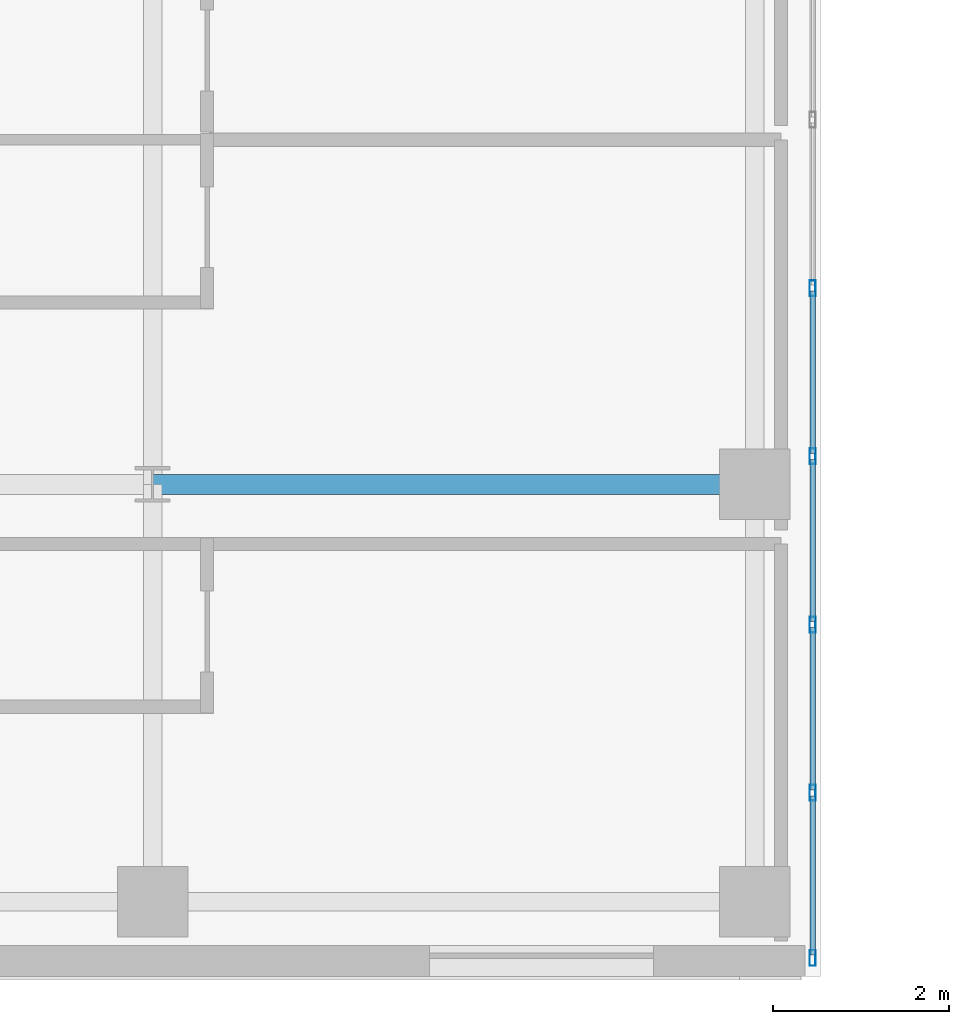
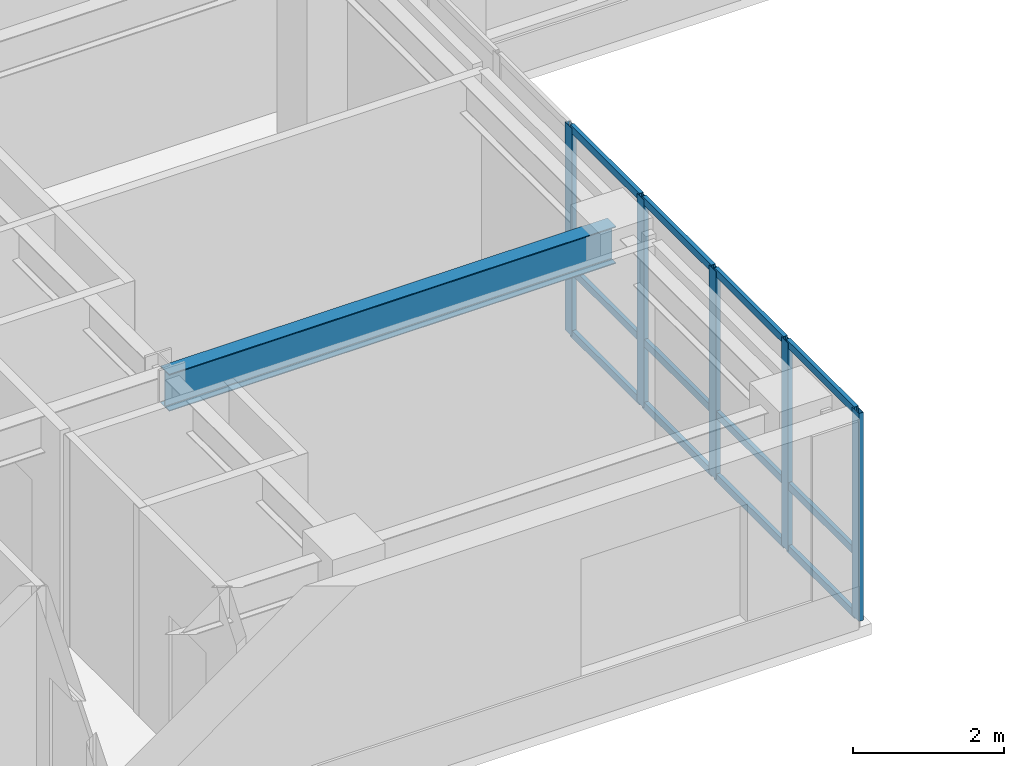
# One storey, part 3 of 21: 17 members, 1 beam, 1 element without a shape of its own.
"""IFC4 building model written with IfcOpenShell, lengths in metres."""

from ifc_helpers import new_model, si_unit, direction, frame, origin, origin_2d, place, context, subcontext, project, spatial, hollow_rectangle, i_section, extrude, source, transform, mapped, material, layer, layer_set, material_profile, profile_set, type_object, type_shapes, element, aggregate, save


model = new_model("IFC4")

# Units and contexts
model_context = context("Model", 3, precision=1e-05, world=origin(), true_north=direction((0.0, 1.0)))
body_context = subcontext(model_context, "Body", "Model", "MODEL_VIEW")
ifc_project = project(units=[si_unit("LENGTHUNIT", "METRE"), si_unit("AREAUNIT", "SQUARE_METRE"), si_unit("VOLUMEUNIT", "CUBIC_METRE"), si_unit("PLANEANGLEUNIT", "RADIAN"), si_unit("MASSUNIT", "GRAM", prefix="KILO")], contexts=[model_context])

# Site, building, storey
site_placement = place(None, origin())
site = spatial("IfcSite", under=ifc_project, at=site_placement, CompositionType="ELEMENT")
building_placement = place(site_placement, origin())
building = spatial("IfcBuilding", under=site, at=building_placement, Name="Tolvann Quenvar Hotel", CompositionType="ELEMENT")
storey_placement = place(building_placement, frame((0.0, 0.0, 161.25)))
storey = spatial("IfcBuildingStorey", under=building, at=storey_placement, Name="L42", CompositionType="ELEMENT", Elevation=161.25)

# Beam
ifc_material_1 = material(Name="Steel Grade 350", Category="steel")
ifc_material_profile_1 = material_profile(ifc_material_1, i_section(OverallWidth=0.22802734375, OverallDepth=0.60205078125, WebThickness=0.010498046875, FlangeThickness=0.014892578125, FilletRadius=0.013916015625, at=origin_2d()), Name="610UB101")
ifc_profile_set_1 = profile_set([ifc_material_profile_1], Name="Steel Grade 350")
beam_type = type_object("IfcBeamType", Name="BM_GIRD_610UB101", PredefinedType="BEAM", material=ifc_profile_set_1)
shared_shape_1 = source(origin(), body_context, "Body", "SweptSolid", [
    extrude(i_section(OverallWidth=0.22802734375, OverallDepth=0.60205078125, WebThickness=0.010498046875, FlangeThickness=0.014892578125, FilletRadius=0.013916015625, at=origin_2d()), origin(), (0.0, 0.0, 1.0), 6.85009765625),
])
type_shapes(beam_type, [shared_shape_1])
beam_placement = place(storey_placement, frame((15.199951171875, 8.199951171875, 3.069091796875), z_axis=(1.0, 0.0, 0.0), x_axis=(0.0, 1.0, 0.0)))
element("IfcBeam", 1, at=beam_placement, inside=storey, type_object=beam_type, Name="BM-L42-EW-3-D3-E3", PredefinedType="BEAM", context=body_context, shape_type="MappedRepresentation", body=[
    mapped(shared_shape_1, transform((0.0, 0.0, 0.0), x_axis=(1.0, 0.0, 0.0), y_axis=(0.0, 1.0, 0.0), z_axis=(0.0, 0.0, 1.0), scale=1.0)),
])

# Curtain wall, members
ifc_material_2 = material(Name="Thermally broken anodised architectural aluminium 6063-T6 and laminated low-E glass", Category="aluminium")
ifc_layer = layer(ifc_material_2, 0.179931640625)
ifc_layer_set = layer_set([ifc_layer], Name="Thermally broken anodised architectural aluminium 6063-T6 and laminated low-E glass")
curtain_wall_type = type_object("IfcCurtainWallType", Name="CW_SYS_SLOT_03", PredefinedType="USERDEFINED", material=ifc_layer_set)
curtain_wall_placement = place(storey_placement, origin())
curtain_wall = element("IfcCurtainWall", 2, at=curtain_wall_placement, inside=storey, type_object=curtain_wall_type, Name="Curtain Wall CW-SLOT-03 (CWR-L42-E05)", ObjectType="UNITISED CURTAIN WALL", PredefinedType="USERDEFINED")
ifc_material_3 = material(Name="Anodised architectural aluminium 6063-T6 framing", Category="aluminium")
ifc_material_profile_2 = material_profile(ifc_material_3, hollow_rectangle(XDim=0.070068359375, YDim=0.179931640625, WallThickness=0.00390625, at=origin_2d()), Name="180x70x4RHS")
ifc_profile_set_2 = profile_set([ifc_material_profile_2], Name="Anodised architectural aluminium 6063-T6 framing")
member_type_1 = type_object("IfcMemberType", Name="CW_MULL_180x70", PredefinedType="MULLION", material=ifc_profile_set_2)
shared_shape_2 = source(origin(), body_context, "Body", "SweptSolid", [
    extrude(hollow_rectangle(XDim=0.070068359375, YDim=0.179931640625, WallThickness=0.00390625, at=origin_2d()), origin(), (0.0, 0.0, 1.0), 3.3701171875),
])
type_shapes(member_type_1, [shared_shape_2])
member_1_placement = place(storey_placement, frame((22.7099609375, 2.81005859375, 0.0), z_axis=(0.0, 0.0, 1.0), x_axis=(-1.0, 0.0, 0.0)))
member_1 = element("IfcMember", 3, at=member_1_placement, type_object=member_type_1, Name="CW-SLOT-03 mullion 1", PredefinedType="MULLION", context=body_context, shape_type="MappedRepresentation", body=[
    mapped(shared_shape_2, transform((0.0, 0.0, 0.0), x_axis=(1.0, 0.0, 0.0), y_axis=(0.0, 1.0, 0.0), z_axis=(0.0, 0.0, 1.0), scale=1.0)),
])
member_2_placement = place(storey_placement, frame((22.7099609375, 4.689208984375, 0.0), z_axis=(0.0, 0.0, 1.0), x_axis=(-1.0, 0.0, 0.0)))
member_2 = element("IfcMember", 4, at=member_2_placement, type_object=member_type_1, Name="CW-SLOT-03 mullion 2", PredefinedType="MULLION", context=body_context, shape_type="MappedRepresentation", body=[
    mapped(shared_shape_2, transform((0.0, 0.0, 0.0), x_axis=(1.0, 0.0, 0.0), y_axis=(0.0, 1.0, 0.0), z_axis=(0.0, 0.0, 1.0), scale=1.0)),
])
member_3_placement = place(storey_placement, frame((22.7099609375, 6.603515625, 0.0), z_axis=(0.0, 0.0, 1.0), x_axis=(-1.0, 0.0, 0.0)))
member_3 = element("IfcMember", 5, at=member_3_placement, type_object=member_type_1, Name="CW-SLOT-03 mullion 3", PredefinedType="MULLION", context=body_context, shape_type="MappedRepresentation", body=[
    mapped(shared_shape_2, transform((0.0, 0.0, 0.0), x_axis=(1.0, 0.0, 0.0), y_axis=(0.0, 1.0, 0.0), z_axis=(0.0, 0.0, 1.0), scale=1.0)),
])
member_4_placement = place(storey_placement, frame((22.7099609375, 8.517822265625, 0.0), z_axis=(0.0, 0.0, 1.0), x_axis=(-1.0, 0.0, 0.0)))
member_4 = element("IfcMember", 6, at=member_4_placement, type_object=member_type_1, Name="CW-SLOT-03 mullion 4", PredefinedType="MULLION", context=body_context, shape_type="MappedRepresentation", body=[
    mapped(shared_shape_2, transform((0.0, 0.0, 0.0), x_axis=(1.0, 0.0, 0.0), y_axis=(0.0, 1.0, 0.0), z_axis=(0.0, 0.0, 1.0), scale=1.0)),
])
member_5_placement = place(storey_placement, frame((22.7099609375, 10.43212890625, 0.0), z_axis=(0.0, 0.0, 1.0), x_axis=(-1.0, 0.0, 0.0)))
member_5 = element("IfcMember", 7, at=member_5_placement, type_object=member_type_1, Name="CW-SLOT-03 mullion 5", PredefinedType="MULLION", context=body_context, shape_type="MappedRepresentation", body=[
    mapped(shared_shape_2, transform((0.0, 0.0, 0.0), x_axis=(1.0, 0.0, 0.0), y_axis=(0.0, 1.0, 0.0), z_axis=(0.0, 0.0, 1.0), scale=1.0)),
])
ifc_material_profile_3 = material_profile(ifc_material_3, hollow_rectangle(XDim=0.06005859375, YDim=0.1201171875, WallThickness=0.00341796875, at=origin_2d()), Name="120x60x3.5RHS")
ifc_profile_set_3 = profile_set([ifc_material_profile_3], Name="Anodised architectural aluminium 6063-T6 framing")
member_type_2 = type_object("IfcMemberType", Name="CW_TRAN_120x60", PredefinedType="USERDEFINED", material=ifc_profile_set_3)
shared_shape_3 = source(origin(), body_context, "Body", "SweptSolid", [
    extrude(hollow_rectangle(XDim=0.06005859375, YDim=0.1201171875, WallThickness=0.00341796875, at=origin_2d()), origin(), (0.0, 0.0, 1.0), 1.809326171875),
])
member_6_placement = place(storey_placement, frame((22.7099609375, 2.844970703125, 0.030029296875), z_axis=(0.0, 1.0, 0.0), x_axis=(-1.0, 0.0, 0.0)))
member_6 = element("IfcMember", 8, at=member_6_placement, type_object=member_type_2, Name="CW-SLOT-03 transom 1.1", ObjectType="TRANSOM", PredefinedType="USERDEFINED", context=body_context, shape_type="MappedRepresentation", body=[
    mapped(shared_shape_3, transform((0.0, 0.0, 0.0), x_axis=(1.0, 0.0, 0.0), y_axis=(0.0, 1.0, 0.0), z_axis=(0.0, 0.0, 1.0), scale=1.0)),
])
member_7_placement = place(storey_placement, frame((22.7099609375, 2.844970703125, 1.050048828125), z_axis=(0.0, 1.0, 0.0), x_axis=(-1.0, 0.0, 0.0)))
member_7 = element("IfcMember", 9, at=member_7_placement, type_object=member_type_2, Name="CW-SLOT-03 transom 1.2", ObjectType="TRANSOM", PredefinedType="USERDEFINED", context=body_context, shape_type="MappedRepresentation", body=[
    mapped(shared_shape_3, transform((0.0, 0.0, 0.0), x_axis=(1.0, 0.0, 0.0), y_axis=(0.0, 1.0, 0.0), z_axis=(0.0, 0.0, 1.0), scale=1.0)),
])
member_8_placement = place(storey_placement, frame((22.7099609375, 2.844970703125, 3.340087890625), z_axis=(0.0, 1.0, 0.0), x_axis=(-1.0, 0.0, 0.0)))
member_8 = element("IfcMember", 10, at=member_8_placement, type_object=member_type_2, Name="CW-SLOT-03 transom 1.3", ObjectType="TRANSOM", PredefinedType="USERDEFINED", context=body_context, shape_type="MappedRepresentation", body=[
    mapped(shared_shape_3, transform((0.0, 0.0, 0.0), x_axis=(1.0, 0.0, 0.0), y_axis=(0.0, 1.0, 0.0), z_axis=(0.0, 0.0, 1.0), scale=1.0)),
])
shared_shape_4 = source(origin(), body_context, "Body", "SweptSolid", [
    extrude(hollow_rectangle(XDim=0.06005859375, YDim=0.1201171875, WallThickness=0.00341796875, at=origin_2d()), origin(), (0.0, 0.0, 1.0), 1.84423828125),
])
type_shapes(member_type_2, [shared_shape_3, shared_shape_4])
member_9_placement = place(storey_placement, frame((22.7099609375, 4.724365234375, 0.030029296875), z_axis=(0.0, 1.0, 0.0), x_axis=(-1.0, 0.0, 0.0)))
member_9 = element("IfcMember", 11, at=member_9_placement, type_object=member_type_2, Name="CW-SLOT-03 transom 2.1", ObjectType="TRANSOM", PredefinedType="USERDEFINED", context=body_context, shape_type="MappedRepresentation", body=[
    mapped(shared_shape_4, transform((0.0, 0.0, 0.0), x_axis=(1.0, 0.0, 0.0), y_axis=(0.0, 1.0, 0.0), z_axis=(0.0, 0.0, 1.0), scale=1.0)),
])
member_10_placement = place(storey_placement, frame((22.7099609375, 4.724365234375, 1.050048828125), z_axis=(0.0, 1.0, 0.0), x_axis=(-1.0, 0.0, 0.0)))
member_10 = element("IfcMember", 12, at=member_10_placement, type_object=member_type_2, Name="CW-SLOT-03 transom 2.2", ObjectType="TRANSOM", PredefinedType="USERDEFINED", context=body_context, shape_type="MappedRepresentation", body=[
    mapped(shared_shape_4, transform((0.0, 0.0, 0.0), x_axis=(1.0, 0.0, 0.0), y_axis=(0.0, 1.0, 0.0), z_axis=(0.0, 0.0, 1.0), scale=1.0)),
])
member_11_placement = place(storey_placement, frame((22.7099609375, 4.724365234375, 3.340087890625), z_axis=(0.0, 1.0, 0.0), x_axis=(-1.0, 0.0, 0.0)))
member_11 = element("IfcMember", 13, at=member_11_placement, type_object=member_type_2, Name="CW-SLOT-03 transom 2.3", ObjectType="TRANSOM", PredefinedType="USERDEFINED", context=body_context, shape_type="MappedRepresentation", body=[
    mapped(shared_shape_4, transform((0.0, 0.0, 0.0), x_axis=(1.0, 0.0, 0.0), y_axis=(0.0, 1.0, 0.0), z_axis=(0.0, 0.0, 1.0), scale=1.0)),
])
member_12_placement = place(storey_placement, frame((22.7099609375, 6.638671875, 0.030029296875), z_axis=(0.0, 1.0, 0.0), x_axis=(-1.0, 0.0, 0.0)))
member_12 = element("IfcMember", 14, at=member_12_placement, type_object=member_type_2, Name="CW-SLOT-03 transom 3.1", ObjectType="TRANSOM", PredefinedType="USERDEFINED", context=body_context, shape_type="MappedRepresentation", body=[
    mapped(shared_shape_4, transform((0.0, 0.0, 0.0), x_axis=(1.0, 0.0, 0.0), y_axis=(0.0, 1.0, 0.0), z_axis=(0.0, 0.0, 1.0), scale=1.0)),
])
member_13_placement = place(storey_placement, frame((22.7099609375, 6.638671875, 1.050048828125), z_axis=(0.0, 1.0, 0.0), x_axis=(-1.0, 0.0, 0.0)))
member_13 = element("IfcMember", 15, at=member_13_placement, type_object=member_type_2, Name="CW-SLOT-03 transom 3.2", ObjectType="TRANSOM", PredefinedType="USERDEFINED", context=body_context, shape_type="MappedRepresentation", body=[
    mapped(shared_shape_4, transform((0.0, 0.0, 0.0), x_axis=(1.0, 0.0, 0.0), y_axis=(0.0, 1.0, 0.0), z_axis=(0.0, 0.0, 1.0), scale=1.0)),
])
member_14_placement = place(storey_placement, frame((22.7099609375, 6.638671875, 3.340087890625), z_axis=(0.0, 1.0, 0.0), x_axis=(-1.0, 0.0, 0.0)))
member_14 = element("IfcMember", 16, at=member_14_placement, type_object=member_type_2, Name="CW-SLOT-03 transom 3.3", ObjectType="TRANSOM", PredefinedType="USERDEFINED", context=body_context, shape_type="MappedRepresentation", body=[
    mapped(shared_shape_4, transform((0.0, 0.0, 0.0), x_axis=(1.0, 0.0, 0.0), y_axis=(0.0, 1.0, 0.0), z_axis=(0.0, 0.0, 1.0), scale=1.0)),
])
member_15_placement = place(storey_placement, frame((22.7099609375, 8.552978515625, 0.030029296875), z_axis=(0.0, 1.0, 0.0), x_axis=(-1.0, 0.0, 0.0)))
member_15 = element("IfcMember", 17, at=member_15_placement, type_object=member_type_2, Name="CW-SLOT-03 transom 4.1", ObjectType="TRANSOM", PredefinedType="USERDEFINED", context=body_context, shape_type="MappedRepresentation", body=[
    mapped(shared_shape_4, transform((0.0, 0.0, 0.0), x_axis=(1.0, 0.0, 0.0), y_axis=(0.0, 1.0, 0.0), z_axis=(0.0, 0.0, 1.0), scale=1.0)),
])
member_16_placement = place(storey_placement, frame((22.7099609375, 8.552978515625, 1.050048828125), z_axis=(0.0, 1.0, 0.0), x_axis=(-1.0, 0.0, 0.0)))
member_16 = element("IfcMember", 18, at=member_16_placement, type_object=member_type_2, Name="CW-SLOT-03 transom 4.2", ObjectType="TRANSOM", PredefinedType="USERDEFINED", context=body_context, shape_type="MappedRepresentation", body=[
    mapped(shared_shape_4, transform((0.0, 0.0, 0.0), x_axis=(1.0, 0.0, 0.0), y_axis=(0.0, 1.0, 0.0), z_axis=(0.0, 0.0, 1.0), scale=1.0)),
])
member_17_placement = place(storey_placement, frame((22.7099609375, 8.552978515625, 3.340087890625), z_axis=(0.0, 1.0, 0.0), x_axis=(-1.0, 0.0, 0.0)))
member_17 = element("IfcMember", 19, at=member_17_placement, type_object=member_type_2, Name="CW-SLOT-03 transom 4.3", ObjectType="TRANSOM", PredefinedType="USERDEFINED", context=body_context, shape_type="MappedRepresentation", body=[
    mapped(shared_shape_4, transform((0.0, 0.0, 0.0), x_axis=(1.0, 0.0, 0.0), y_axis=(0.0, 1.0, 0.0), z_axis=(0.0, 0.0, 1.0), scale=1.0)),
])
aggregate(curtain_wall, [member_1, member_2, member_3, member_4, member_5, member_6, member_7, member_8, member_9, member_10, member_11, member_12, member_13, member_14, member_15, member_16, member_17])

save(model, "model.ifc")
